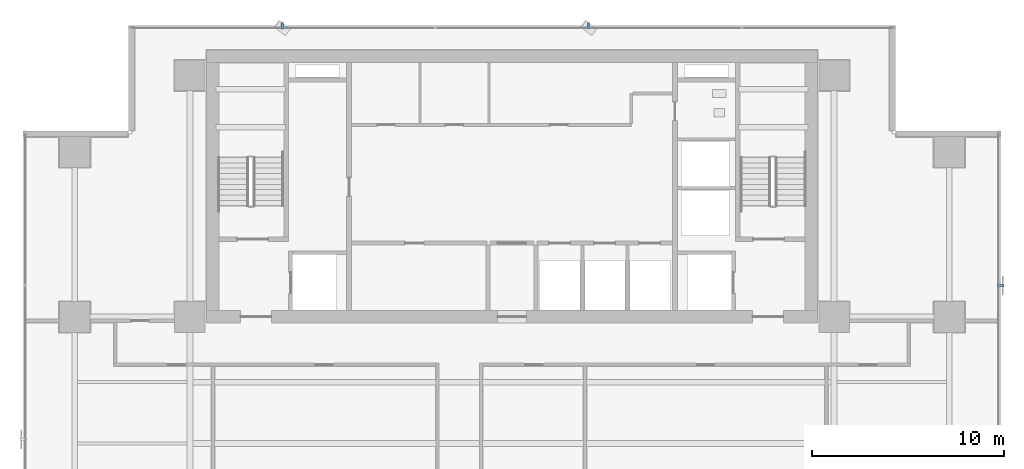
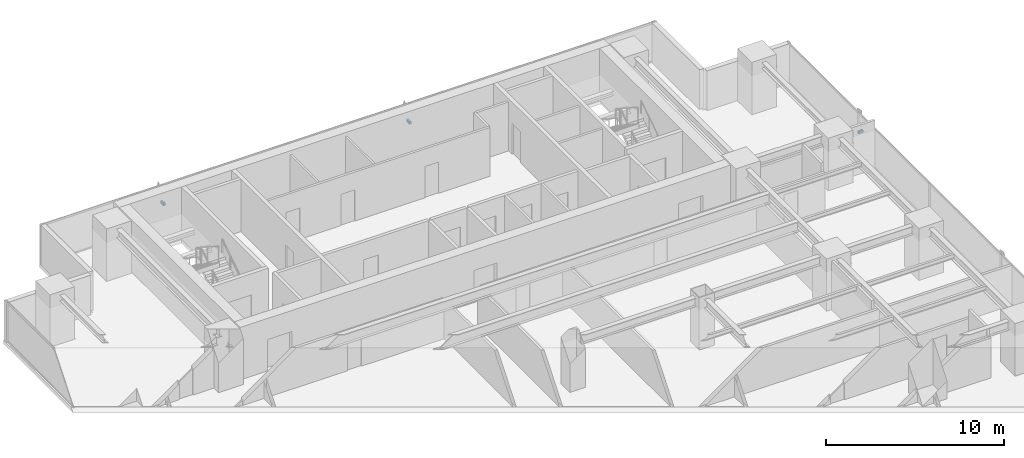
# One storey, part 30 of 35: 3 discrete accessories.
"""IFC4 building model written with IfcOpenShell, lengths in metres."""

from ifc_helpers import new_model, si_unit, direction, frame, origin, origin_2d, place, context, subcontext, project, spatial, rectangle, extrude, source, transform, mapped, material, material_profile, profile_set, type_object, element, save


model = new_model("IFC4")

# Units and contexts
model_context = context("Model", 3, precision=1e-05, world=origin(), true_north=direction((0.0, 1.0)))
body_context = subcontext(model_context, "Body", "Model", "MODEL_VIEW")
ifc_project = project(units=[si_unit("LENGTHUNIT", "METRE"), si_unit("AREAUNIT", "SQUARE_METRE"), si_unit("VOLUMEUNIT", "CUBIC_METRE"), si_unit("PLANEANGLEUNIT", "RADIAN"), si_unit("MASSUNIT", "GRAM", prefix="KILO")], contexts=[model_context])

# Site, building, storey
site_placement = place(None, origin())
site = spatial("IfcSite", under=ifc_project, at=site_placement, CompositionType="ELEMENT")
building_placement = place(site_placement, origin())
building = spatial("IfcBuilding", under=site, at=building_placement, Name="Sumidabori Civic Tower", CompositionType="ELEMENT")
storey_placement = place(building_placement, frame((0.0, 0.0, 102.800048828125)))
storey = spatial("IfcBuildingStorey", under=building, at=storey_placement, Name="L26", CompositionType="ELEMENT", Elevation=102.800048828125)

# Discrete accessories
ifc_material = material(Name="Stainless Steel Hairline Finish", Category="steel")
ifc_material_profile = material_profile(ifc_material, rectangle(XDim=0.1201171875, YDim=0.179931640625, at=origin_2d()), Name="STEEL BRACKET 180x120")
ifc_profile_set = profile_set([ifc_material_profile], Name="Stainless Steel Hairline Finish")
discrete_accessory_type = type_object("IfcDiscreteAccessoryType", Name="AC-BRK-180", PredefinedType="BRACKET", material=ifc_profile_set)
shared_shape_1 = source(origin(), body_context, "Body", "SweptSolid", [
    extrude(rectangle(XDim=0.1201171875, YDim=0.179931640625, at=origin_2d()), origin(), (0.0, 0.0, 1.0), 0.329833984375),
])
discrete_accessory_placement = place(storey_placement, frame((25.330078125, 11.842041015625, 1.35986328125), z_axis=(1.0, 0.0, 0.0), x_axis=(0.0, 1.0, 0.0)))
element("IfcDiscreteAccessory", 1, at=discrete_accessory_placement, inside=storey, type_object=discrete_accessory_type, Name="Bronze Fin Fixing Bracket L26-04", PredefinedType="BRACKET", context=body_context, shape_type="MappedRepresentation", body=[
    mapped(shared_shape_1, transform((0.0, 0.0, 0.0), x_axis=(1.0, 0.0, 0.0), y_axis=(0.0, 1.0, 0.0), z_axis=(0.0, 0.0, 1.0), scale=1.0)),
])
shared_shape_2 = source(origin(), body_context, "Body", "SweptSolid", [
    extrude(rectangle(XDim=0.1201171875, YDim=0.179931640625, at=origin_2d()), origin(), (0.0, 0.0, 1.0), 0.330078125),
])
for number, where, z_axis, x_axis, name in (
    (2, (3.993896484375, 25.22998046875, 1.35986328125), (0.0, 1.0, 0.0), (-1.0, 0.0, 0.0), "Bronze Fin Fixing Bracket L26-02"),
    (3, (-11.98193359375, 25.22998046875, 1.35986328125), (0.0, 1.0, 0.0), (-1.0, 0.0, 0.0), "Bronze Fin Fixing Bracket L26-04"),
):
    element("IfcDiscreteAccessory", number, at=place(storey_placement, frame(where, z_axis=z_axis, x_axis=x_axis)), inside=storey, type_object=discrete_accessory_type, Name=name, PredefinedType="BRACKET", context=body_context, shape_type="MappedRepresentation", body=[
        mapped(shared_shape_2, transform((0.0, 0.0, 0.0), x_axis=(1.0, 0.0, 0.0), y_axis=(0.0, 1.0, 0.0), z_axis=(0.0, 0.0, 1.0), scale=1.0)),
    ])

save(model, "model.ifc")
